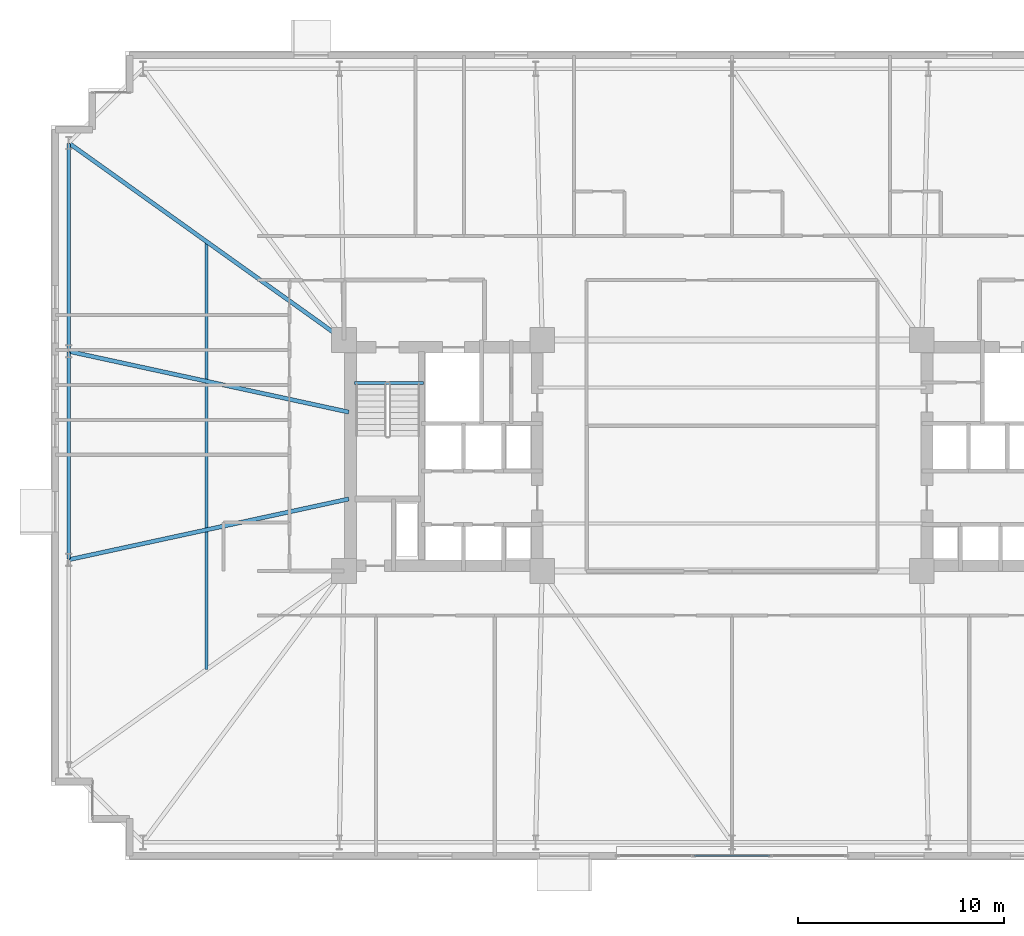
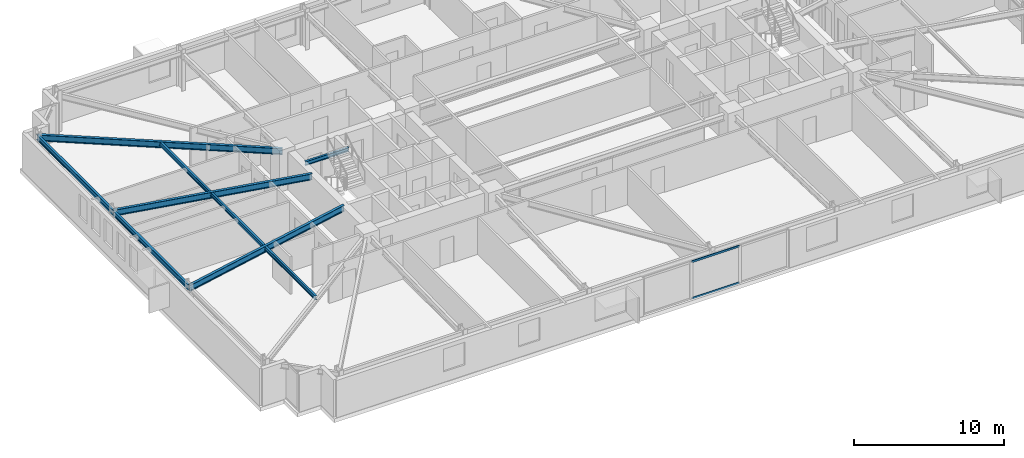
# One storey, part 7 of 24: 7 beams, 2 members, 1 element without a shape of its own.
"""IFC4 building model written with IfcOpenShell, lengths in metres."""

import ifcopenshell
import ifcopenshell.guid

model = None  # the IFC model being written
_history = None  # IfcOwnerHistory: only IFC2X3 demands one
_inside = {}  # id of a spatial element -> (the spatial element, [elements in it])
_under = {}  # id of a project, library or spatial element -> (it, [spatial elements below it])
_declared = {}  # id of a project -> (the project, [libraries it declares])
_typed = {}  # id of a type object -> (the type object, [elements of that type])
_made_of = {}  # id of a material, layer set ... -> (it, [elements and type objects made of it])


def new_model(schema):
    """Start an empty IFC model of exactly this schema.

    Asked for "IFC4X3", IfcOpenShell would pick the latest addendum, in which some entities
    have other attributes; the version numbers below select the first issue.
    IFC2X3 requires an IfcOwnerHistory on every rooted entity: one is made here for all.
    """
    global model, _history
    if schema == "IFC4X3":
        model = ifcopenshell.file(schema_version=(4, 3, 0, 0))
    else:
        model = ifcopenshell.file(schema=schema)
    _inside.clear()
    _under.clear()
    _declared.clear()
    _typed.clear()
    _made_of.clear()
    _history = None
    if model.schema == "IFC2X3":
        org = make("IfcOrganization", Name="unknown")
        user = make(
            "IfcPersonAndOrganization",
            ThePerson=make("IfcPerson", FamilyName="unknown"),
            TheOrganization=org,
        )
        app = make(
            "IfcApplication",
            ApplicationDeveloper=org,
            Version="unknown",
            ApplicationFullName="unknown",
            ApplicationIdentifier="unknown",
        )
        _history = make(
            "IfcOwnerHistory",
            OwningUser=user,
            OwningApplication=app,
            ChangeAction="ADDED",
            CreationDate=0,
        )
    return model


def make(cls, **values):
    """One entity of the class cls with the attributes given. An attribute that is None is left unset."""
    return model.create_entity(
        cls, **{name: value for name, value in values.items() if value is not None}
    )


def rooted(cls, **values):
    """An entity with a GlobalId (a new one), such as an element, a storey or a relation."""
    return make(cls, GlobalId=ifcopenshell.guid.new(), OwnerHistory=_history, **values)


def si_unit(unit_type, name, prefix=None):
    """IfcSIUnit, for example si_unit("LENGTHUNIT", "METRE", prefix="MILLI")."""
    return make("IfcSIUnit", UnitType=unit_type, Prefix=prefix, Name=name)


def assignment(units):
    """IfcUnitAssignment: the units of a project."""
    return None if units is None else make("IfcUnitAssignment", Units=units)


def point(xyz):
    """IfcCartesianPoint."""
    return None if xyz is None else make("IfcCartesianPoint", Coordinates=xyz)


def direction(xyz):
    """IfcDirection."""
    return None if xyz is None else make("IfcDirection", DirectionRatios=xyz)


def frame(location, z_axis=None, x_axis=None):
    """IfcAxis2Placement3D, a coordinate frame: its origin and axes. An axis left out is left unset."""
    return make(
        "IfcAxis2Placement3D",
        Location=point(location),
        Axis=direction(z_axis),
        RefDirection=direction(x_axis),
    )


def frame_2d(location, x_axis=None):
    """IfcAxis2Placement2D, a coordinate frame in the plane: its origin and x axis."""
    return make(
        "IfcAxis2Placement2D", Location=point(location), RefDirection=direction(x_axis)
    )


def origin():
    """The frame at (0, 0, 0) with its axes left unset."""
    return frame((0.0, 0.0, 0.0))


def origin_2d():
    """The frame at (0, 0) in the plane with its x axis left unset."""
    return frame_2d((0.0, 0.0))


def place(relative_to, where):
    """IfcLocalPlacement: puts the frame where relative to a parent placement (None: the world)."""
    return make(
        "IfcLocalPlacement", PlacementRelTo=relative_to, RelativePlacement=where
    )


def context(
    kind, dimensions, precision=None, world=None, true_north=None, identifier=None
):
    """IfcGeometricRepresentationContext, for example the 3D "Model" context."""
    return make(
        "IfcGeometricRepresentationContext",
        ContextIdentifier=identifier,
        ContextType=kind,
        CoordinateSpaceDimension=dimensions,
        Precision=precision,
        WorldCoordinateSystem=world,
        TrueNorth=true_north,
    )


def subcontext(parent, identifier, kind, view, scale=None):
    """IfcGeometricRepresentationSubContext, for example "Body" below "Model"."""
    return make(
        "IfcGeometricRepresentationSubContext",
        ContextIdentifier=identifier,
        ContextType=kind,
        ParentContext=parent,
        TargetScale=scale,
        TargetView=view,
    )


def project(units=None, contexts=None):
    """IfcProject with its units and contexts."""
    return rooted(
        "IfcProject",
        Name="project",
        RepresentationContexts=contexts,
        UnitsInContext=assignment(units),
    )


def spatial(cls, under=None, at=None, **own):
    """A site, building, storey or space (cls), placed at a placement, below another one or the project."""
    s = rooted(cls, ObjectPlacement=at, **own)
    if under is not None:
        _under.setdefault(under.id(), (under, []))[1].append(s)
    return s


def profile(cls, at=None, kind="AREA", **sizes):
    """A parametric profile (cls). Its sizes go by their IFC names, for example OverallWidth=200.0."""
    return make(cls, ProfileType=kind, Position=at, **sizes)


def hollow_rectangle(**sizes):
    """IfcRectangleHollowProfileDef."""
    return profile("IfcRectangleHollowProfileDef", **sizes)


def i_section(**sizes):
    """IfcIShapeProfileDef."""
    return profile("IfcIShapeProfileDef", **sizes)


def extrude(swept, where, along, depth):
    """IfcExtrudedAreaSolid: the profile swept, set in the frame where, extruded along a direction by depth."""
    return make(
        "IfcExtrudedAreaSolid",
        SweptArea=swept,
        Position=where,
        ExtrudedDirection=direction(along),
        Depth=depth,
    )


def shape(context_of_items, identifier, shape_type, items):
    """IfcShapeRepresentation: the items that make up one representation, for example the "Body"."""
    return make(
        "IfcShapeRepresentation",
        ContextOfItems=context_of_items,
        RepresentationIdentifier=identifier,
        RepresentationType=shape_type,
        Items=items,
    )


def material(Name=None, Category=None):
    """IfcMaterial."""
    return make("IfcMaterial", Name=Name, Category=Category)


def layer(
    of_material, thickness, ventilated=None, Name=None, Category=None, Priority=None
):
    """IfcMaterialLayer: one layer of a wall or slab, of a material (None: an air gap)."""
    return make(
        "IfcMaterialLayer",
        Material=of_material,
        LayerThickness=thickness,
        IsVentilated=ventilated,
        Name=Name,
        Category=Category,
        Priority=Priority,
    )


def layer_set(layers, Name=None):
    """IfcMaterialLayerSet."""
    return make("IfcMaterialLayerSet", MaterialLayers=layers, LayerSetName=Name)


def material_profile(
    of_material, cross_section, Name=None, Category=None, Priority=None
):
    """IfcMaterialProfile: a cross section and its material."""
    return make(
        "IfcMaterialProfile",
        Name=Name,
        Material=of_material,
        Profile=cross_section,
        Priority=Priority,
        Category=Category,
    )


def profile_set(profiles, Name=None, composite=None):
    """IfcMaterialProfileSet."""
    return make(
        "IfcMaterialProfileSet",
        Name=Name,
        MaterialProfiles=profiles,
        CompositeProfile=composite,
    )


def made_of(thing, what):
    """Note that an element or type object is made of a material, layer set ...; save() writes the relation."""
    if what is not None:
        _made_of.setdefault(what.id(), (what, []))[1].append(thing)
    return thing


def type_object(cls, material=None, **own):
    """A type object (cls), such as IfcWallType, which elements share."""
    return made_of(rooted(cls, **own), material)


def element(
    cls,
    number,
    at=None,
    inside=None,
    cuts=None,
    type_object=None,
    material=None,
    context=None,
    identifier="Body",
    shape_type=None,
    held_by="IfcProductDefinitionShape",
    body=None,
    shapes=None,
    **own,
):
    """One element of the class cls, such as IfcWall. Its Tag is "e" and its number.

    at: its placement. inside: the storey or other place that contains it. cuts: it is an
    opening in that element (IfcRelVoidsElement). A single representation is given by context,
    identifier, shape_type and body (its items); several are given by shapes. held_by: the class
    of the entity that holds the representations. save() writes the other relations.
    """
    e = rooted(cls, Tag="e%d" % number, ObjectPlacement=at, **own)
    if body is not None:
        shapes = [shape(context, identifier, shape_type, body)]
    if shapes is not None:
        e.Representation = make(held_by, Representations=shapes)
    if inside is not None:
        _inside.setdefault(inside.id(), (inside, []))[1].append(e)
    if cuts is not None:
        rooted(
            "IfcRelVoidsElement", RelatingBuildingElement=cuts, RelatedOpeningElement=e
        )
    if type_object is not None:
        _typed.setdefault(type_object.id(), (type_object, []))[1].append(e)
    return made_of(e, material)


def aggregate(whole, parts):
    """IfcRelAggregates: a whole, such as a stair, and the parts it consists of."""
    return rooted("IfcRelAggregates", RelatingObject=whole, RelatedObjects=parts)


def save(model, path):
    """Write the relations noted so far, then the file.

    IfcRelAggregates (storeys below a building ...), IfcRelContainedInSpatialStructure (elements
    in a storey), IfcRelDefinesByType, IfcRelAssociatesMaterial and IfcRelDeclares: one each for
    every whole, place, type object, material and project.
    """
    for whole, parts in _under.values():
        aggregate(whole, parts)
    for where, things in _inside.values():
        rooted(
            "IfcRelContainedInSpatialStructure",
            RelatedElements=things,
            RelatingStructure=where,
        )
    for kind, things in _typed.values():
        rooted("IfcRelDefinesByType", RelatedObjects=things, RelatingType=kind)
    for what, things in _made_of.values():
        rooted("IfcRelAssociatesMaterial", RelatedObjects=things, RelatingMaterial=what)
    for by, libraries in _declared.values():
        rooted("IfcRelDeclares", RelatingContext=by, RelatedDefinitions=libraries)
    model.write(path)


model = new_model("IFC4")

# Units and contexts
model_context = context("Model", 3, precision=1e-05, world=origin(), true_north=direction((0.0, 1.0)))
body_context = subcontext(model_context, "Body", "Model", "MODEL_VIEW")
ifc_project = project(units=[si_unit("LENGTHUNIT", "METRE"), si_unit("AREAUNIT", "SQUARE_METRE"), si_unit("VOLUMEUNIT", "CUBIC_METRE"), si_unit("PLANEANGLEUNIT", "RADIAN"), si_unit("MASSUNIT", "GRAM", prefix="KILO")], contexts=[model_context])

# Site, building, storey
site_placement = place(None, origin())
site = spatial("IfcSite", under=ifc_project, at=site_placement, CompositionType="ELEMENT")
building_placement = place(site_placement, origin())
building = spatial("IfcBuilding", under=site, at=building_placement, Name="Qobustan Lattice House", CompositionType="ELEMENT")
storey_placement = place(building_placement, frame((0.0, 0.0, 50.449951171875)))
storey = spatial("IfcBuildingStorey", under=building, at=storey_placement, Name="L13", CompositionType="ELEMENT", Elevation=50.449951171875)

# Beams
ifc_material_1 = material(Name="Steel S355", Category="steel")
ifc_material_profile_1 = material_profile(ifc_material_1, i_section(OverallWidth=0.199951171875, OverallDepth=0.5, WebThickness=0.01025390625, FlangeThickness=0.01611328125, FilletRadius=0.02099609375, at=origin_2d()), Name="IPE500")
ifc_profile_set_1 = profile_set([ifc_material_profile_1], Name="Steel S355")
beam_type_1 = type_object("IfcBeamType", Name="BM-FLG-IPE500", PredefinedType="USERDEFINED", material=ifc_profile_set_1)
beam_1_placement = place(storey_placement, frame((-32.129638671875, 15.135498046875, 2.78515625), z_axis=(0.813318954893, -0.581818079481, 0.0), x_axis=(0.581818079481, 0.813318954893, 0.0)))
element("IfcBeam", 1, at=beam_1_placement, inside=storey, type_object=beam_type_1, Name="L13 primary floor girder RAD-W1", ObjectType="GIRDER", PredefinedType="USERDEFINED", context=body_context, shape_type="SweptSolid", body=[
    extrude(i_section(OverallWidth=0.199951171875, OverallDepth=0.5, WebThickness=0.01025390625, FlangeThickness=0.01611328125, FilletRadius=0.02099609375, at=origin_2d()), origin(), (0.0, 0.0, 1.0), 16.3642578125),
])
for number, where, z_axis, x_axis, name in (
    (2, (-32.12548828125, 5.044677734375, 2.78515625), (0.97727240275, -0.211987383643, 0.0), (0.211987383643, 0.97727240275, 0.0), "L13 primary floor girder RAD-W2"),
    (3, (-32.12548828125, -5.044677734375, 2.78515625), (0.97727240275, 0.211987383643, 0.0), (-0.211987383643, 0.97727240275, 0.0), "L13 primary floor girder RAD-W3"),
):
    element("IfcBeam", number, at=place(storey_placement, frame(where, z_axis=z_axis, x_axis=x_axis)), inside=storey, type_object=beam_type_1, Name=name, ObjectType="GIRDER", PredefinedType="USERDEFINED", context=body_context, shape_type="SweptSolid", body=[
        extrude(i_section(OverallWidth=0.199951171875, OverallDepth=0.5, WebThickness=0.01025390625, FlangeThickness=0.01611328125, FilletRadius=0.02099609375, at=origin_2d()), origin(), (0.0, 0.0, 1.0), 13.8662109375),
    ])
ifc_material_2 = material(Name="Steel S355", Category="steel")
ifc_material_profile_2 = material_profile(ifc_material_2, i_section(OverallWidth=0.159912109375, OverallDepth=0.330078125, WebThickness=0.007568359375, FlangeThickness=0.011474609375, FilletRadius=0.01806640625, at=origin_2d()), Name="IPE330")
ifc_profile_set_2 = profile_set([ifc_material_profile_2], Name="Steel S355")
beam_type_2 = type_object("IfcBeamType", Name="BM-SEC-IPE330", PredefinedType="BEAM", material=ifc_profile_set_2)
beam_2_placement = place(storey_placement, frame((-25.47509765625, 10.375, 2.8701171875), z_axis=(0.0, -1.0, 0.0), x_axis=(1.0, 0.0, 0.0)))
element("IfcBeam", 4, at=beam_2_placement, inside=storey, type_object=beam_type_2, Name="L13 west wing secondary beam", PredefinedType="BEAM", context=body_context, shape_type="SweptSolid", body=[
    extrude(i_section(OverallWidth=0.159912109375, OverallDepth=0.330078125, WebThickness=0.007568359375, FlangeThickness=0.011474609375, FilletRadius=0.01806640625, at=origin_2d()), origin(), (0.0, 0.0, 1.0), 20.75),
])
ifc_material_3 = material(Name="Steel S355", Category="steel")
ifc_material_profile_3 = material_profile(ifc_material_3, i_section(OverallWidth=0.159912109375, OverallDepth=0.330078125, WebThickness=0.007568359375, FlangeThickness=0.011474609375, FilletRadius=0.01806640625, at=origin_2d()), Name="IPE330")
ifc_profile_set_3 = profile_set([ifc_material_profile_3], Name="Steel S355")
beam_type_3 = type_object("IfcBeamType", Name="BM-SPD-IPE330", PredefinedType="SPANDREL", material=ifc_profile_set_3)
beam_3_placement = place(storey_placement, frame((-18.300048828125, 3.52001953125, 2.8701171875), z_axis=(1.0, 0.0, 0.0), x_axis=(0.0, 1.0, 0.0)))
element("IfcBeam", 5, at=beam_3_placement, inside=storey, type_object=beam_type_3, Name="L13 west stair landing trimmer beam", PredefinedType="SPANDREL", context=body_context, shape_type="SweptSolid", body=[
    extrude(i_section(OverallWidth=0.159912109375, OverallDepth=0.330078125, WebThickness=0.007568359375, FlangeThickness=0.011474609375, FilletRadius=0.01806640625, at=origin_2d()), origin(), (0.0, 0.0, 1.0), 3.35009765625),
])
ifc_material_4 = material(Name="Steel S355", Category="steel")
ifc_material_profile_4 = material_profile(ifc_material_4, i_section(OverallWidth=0.179931640625, OverallDepth=0.39990234375, WebThickness=0.008544921875, FlangeThickness=0.013427734375, FilletRadius=0.02099609375, at=origin_2d()), Name="IPE400")
ifc_profile_set_4 = profile_set([ifc_material_profile_4], Name="Steel S355")
beam_type_4 = type_object("IfcBeamType", Name="BM-SPD-IPE400", PredefinedType="SPANDREL", material=ifc_profile_set_4)
beam_4_placement = place(storey_placement, frame((-32.14990234375, 15.125, 2.8349609375), z_axis=(0.0, -1.0, 0.0), x_axis=(1.0, 0.0, 0.0)))
element("IfcBeam", 6, at=beam_4_placement, inside=storey, type_object=beam_type_4, Name="L13 perimeter spandrel W1-W2", PredefinedType="SPANDREL", context=body_context, shape_type="SweptSolid", body=[
    extrude(i_section(OverallWidth=0.179931640625, OverallDepth=0.39990234375, WebThickness=0.008544921875, FlangeThickness=0.013427734375, FilletRadius=0.02099609375, at=origin_2d()), origin(), (0.0, 0.0, 1.0), 10.050048828125),
])
beam_5_placement = place(storey_placement, frame((-32.14990234375, 5.02490234375, 2.8349609375), z_axis=(0.0, -1.0, 0.0), x_axis=(1.0, 0.0, 0.0)))
element("IfcBeam", 7, at=beam_5_placement, inside=storey, type_object=beam_type_4, Name="L13 perimeter spandrel W2-W3", PredefinedType="SPANDREL", context=body_context, shape_type="SweptSolid", body=[
    extrude(i_section(OverallWidth=0.179931640625, OverallDepth=0.39990234375, WebThickness=0.008544921875, FlangeThickness=0.013427734375, FilletRadius=0.02099609375, at=origin_2d()), origin(), (0.0, 0.0, 1.0), 10.0498046875),
])

# Curtain wall, members
ifc_material_5 = material(Name="Anodised aluminium and low-E glazing", Category="aluminium")
ifc_layer = layer(ifc_material_5, 0.219970703125)
ifc_layer_set = layer_set([ifc_layer], Name="Anodised aluminium and low-E glazing")
curtain_wall_type = type_object("IfcCurtainWallType", Name="CW-IWN-01", PredefinedType="USERDEFINED", material=ifc_layer_set)
curtain_wall_placement = place(storey_placement, origin())
curtain_wall = element("IfcCurtainWall", 8, at=curtain_wall_placement, inside=storey, type_object=curtain_wall_type, Name="L13 IWAN-1 walnut-lined iwan curtain wall", ObjectType="CURTAIN WALL", PredefinedType="USERDEFINED")
ifc_material_6 = material(Name="Anodised aluminium EN AW-6063 T6", Category="aluminium")
ifc_material_profile_5 = material_profile(ifc_material_6, hollow_rectangle(XDim=0.06494140625, YDim=0.159912109375, WallThickness=0.00390625, at=origin_2d()), Name="CWT-160x65")
ifc_profile_set_5 = profile_set([ifc_material_profile_5], Name="Anodised aluminium EN AW-6063 T6")
member_type = type_object("IfcMemberType", Name="CWT-HOR-160", PredefinedType="USERDEFINED", material=ifc_profile_set_5)
member_1_placement = place(storey_placement, frame((1.82666015625, -19.39990234375, 0.032470703125), z_axis=(-1.0, 0.0, 0.0), x_axis=(0.0, -1.0, 0.0)))
member_1 = element("IfcMember", 9, at=member_1_placement, type_object=member_type, Name="CW-IW transom 2.1", ObjectType="TRANSOM", PredefinedType="USERDEFINED", context=body_context, shape_type="SweptSolid", body=[
    extrude(hollow_rectangle(XDim=0.06494140625, YDim=0.159912109375, WallThickness=0.00390625, at=origin_2d()), origin(), (0.0, 0.0, 1.0), 3.6533203125),
])
member_2_placement = place(storey_placement, frame((1.82666015625, -19.39990234375, 3.00244140625), z_axis=(-1.0, 0.0, 0.0), x_axis=(0.0, -1.0, 0.0)))
member_2 = element("IfcMember", 10, at=member_2_placement, type_object=member_type, Name="CW-IW transom 2.2", ObjectType="TRANSOM", PredefinedType="USERDEFINED", context=body_context, shape_type="SweptSolid", body=[
    extrude(hollow_rectangle(XDim=0.06494140625, YDim=0.159912109375, WallThickness=0.00390625, at=origin_2d()), origin(), (0.0, 0.0, 1.0), 3.6533203125),
])
aggregate(curtain_wall, [member_1, member_2])

save(model, "model.ifc")
